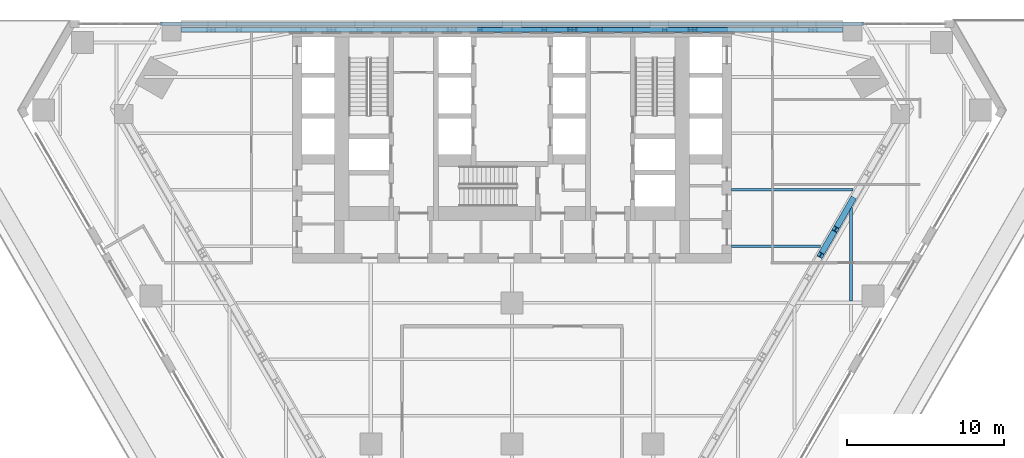
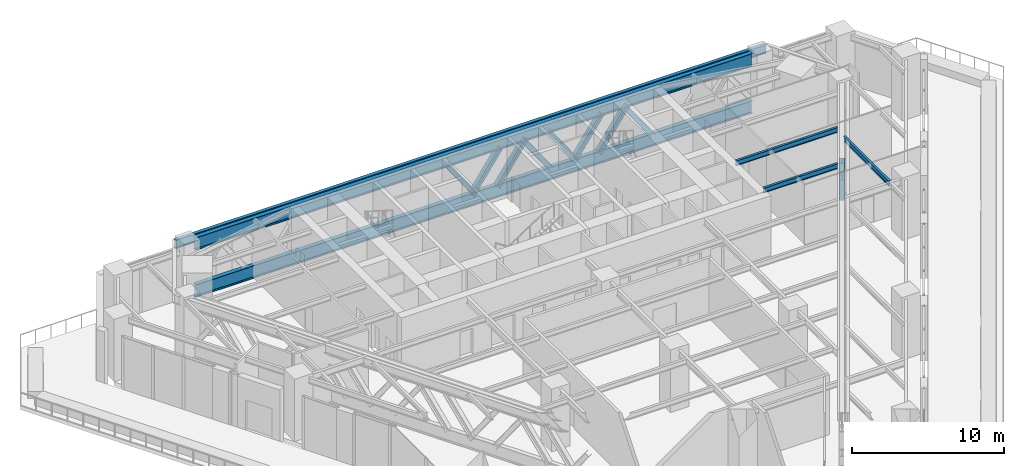
# One storey, part 9 of 25: 10 members, 6 beams.
"""IFC4 building model written with IfcOpenShell, lengths in metres."""

from ifc_helpers import new_model, si_unit, direction, frame, origin, origin_2d, place, context, subcontext, project, spatial, i_section, extrude, material, material_profile, profile_set, type_object, element, save


model = new_model("IFC4")

# Units and contexts
model_context = context("Model", 3, precision=1e-05, world=origin(), true_north=direction((0.0, 1.0)))
body_context = subcontext(model_context, "Body", "Model", "MODEL_VIEW")
ifc_project = project(units=[si_unit("LENGTHUNIT", "METRE"), si_unit("AREAUNIT", "SQUARE_METRE"), si_unit("VOLUMEUNIT", "CUBIC_METRE"), si_unit("PLANEANGLEUNIT", "RADIAN"), si_unit("MASSUNIT", "GRAM", prefix="KILO")], contexts=[model_context])

# Site, building, storey
site_placement = place(None, origin())
site = spatial("IfcSite", under=ifc_project, at=site_placement, CompositionType="ELEMENT")
building_placement = place(site_placement, origin())
building = spatial("IfcBuilding", under=site, at=building_placement, Name="Aloe Facet Convention Tower", CompositionType="ELEMENT")
storey_placement = place(building_placement, frame((0.0, 0.0, 30.0)))
storey = spatial("IfcBuildingStorey", under=building, at=storey_placement, Name="L05", CompositionType="ELEMENT", Elevation=30.0)

# Beams
ifc_material_1 = material(Name="Steel S355", Category="steel")
ifc_material_profile_1 = material_profile(ifc_material_1, i_section(OverallWidth=0.25439453125, OverallDepth=0.6875, WebThickness=0.01318359375, FlangeThickness=0.02099609375, FilletRadius=0.01513671875, at=origin_2d()), Name="UB 686x254x152")
ifc_profile_set_1 = profile_set([ifc_material_profile_1], Name="Steel S355")
beam_type_1 = type_object("IfcBeamType", Name="EV-EB-UB686x254x152", PredefinedType="BEAM", material=ifc_profile_set_1)
beam_1_placement = place(storey_placement, frame((102.39990234375, 134.77490234375, 4.456298828125), z_axis=(-1.0, 0.0, 0.0), x_axis=(0.0, -1.0, 0.0)))
element("IfcBeam", 1, at=beam_1_placement, inside=storey, type_object=beam_type_1, Name="EB-L06-N", PredefinedType="BEAM", context=body_context, shape_type="SweptSolid", body=[
    extrude(i_section(OverallWidth=0.25439453125, OverallDepth=0.6875, WebThickness=0.01318359375, FlangeThickness=0.02099609375, FilletRadius=0.01513671875, at=origin_2d()), origin(), (0.0, 0.0, 1.0), 44.7998046875),
])
ifc_material_2 = material(Name="Steel S355", Category="steel")
ifc_material_profile_2 = material_profile(ifc_material_2, i_section(OverallWidth=0.305419921875, OverallDepth=1.02587890625, WebThickness=0.02001953125, FlangeThickness=0.031005859375, FilletRadius=0.030029296875, at=origin_2d()), Name="UB 1016x305x349")
ifc_profile_set_2 = profile_set([ifc_material_profile_2], Name="Steel S355")
beam_type_2 = type_object("IfcBeamType", Name="SF-B-UB1016x305x349", PredefinedType="BEAM", material=ifc_profile_set_2)
for number, where, z_axis, x_axis, name in (
    (2, (101.10009765625, 134.39990234375, 4.287109375), (-1.0, 0.0, 0.0), (0.0, -1.0, 0.0), "Transfer ring chord TR-F1-T"),
    (3, (101.10009765625, 134.39990234375, 0.512939453125), (-1.0, 0.0, 0.0), (0.0, -1.0, 0.0), "Transfer ring chord TR-F1-B"),
):
    element("IfcBeam", number, at=place(storey_placement, frame(where, z_axis=z_axis, x_axis=x_axis)), inside=storey, type_object=beam_type_2, Name=name, PredefinedType="BEAM", context=body_context, shape_type="SweptSolid", body=[
        extrude(i_section(OverallWidth=0.305419921875, OverallDepth=1.02587890625, WebThickness=0.02001953125, FlangeThickness=0.031005859375, FilletRadius=0.030029296875, at=origin_2d()), origin(), (0.0, 0.0, 1.0), 42.2001953125),
    ])
ifc_material_3 = material(Name="Steel S355", Category="steel")
ifc_material_profile_3 = material_profile(ifc_material_3, i_section(OverallWidth=0.177734375, OverallDepth=0.402587890625, WebThickness=0.0078125, FlangeThickness=0.010986328125, FilletRadius=0.01025390625, at=origin_2d()), Name="UB 406x178x54")
ifc_profile_set_3 = profile_set([ifc_material_profile_3], Name="Steel S355")
beam_type_3 = type_object("IfcBeamType", Name="SF-B-UB406x178x54", PredefinedType="BEAM", material=ifc_profile_set_3)
beam_2_placement = place(storey_placement, frame((101.60009765625, 117.10546875, 4.5986328125), z_axis=(0.0, 1.0, 0.0), x_axis=(-1.0, 0.0, 0.0)))
element("IfcBeam", 4, at=beam_2_placement, inside=storey, type_object=beam_type_3, Name="Floor beam FB-L06-837", PredefinedType="BEAM", context=body_context, shape_type="SweptSolid", body=[
    extrude(i_section(OverallWidth=0.177734375, OverallDepth=0.402587890625, WebThickness=0.0078125, FlangeThickness=0.010986328125, FilletRadius=0.01025390625, at=origin_2d()), origin(), (0.0, 0.0, 1.0), 5.9619140625),
])
beam_3_placement = place(storey_placement, frame((94.0, 120.60009765625, 4.5986328125), z_axis=(1.0, 0.0, 0.0), x_axis=(0.0, 1.0, 0.0)))
element("IfcBeam", 5, at=beam_3_placement, inside=storey, type_object=beam_type_3, Name="Floor beam FB-Z1A-045", PredefinedType="BEAM", context=body_context, shape_type="SweptSolid", body=[
    extrude(i_section(OverallWidth=0.177734375, OverallDepth=0.402587890625, WebThickness=0.0078125, FlangeThickness=0.010986328125, FilletRadius=0.01025390625, at=origin_2d()), origin(), (0.0, 0.0, 1.0), 5.648681640625),
])
beam_4_placement = place(storey_placement, frame((94.0, 124.199951171875, 4.5986328125), z_axis=(1.0, 0.0, 0.0), x_axis=(0.0, 1.0, 0.0)))
element("IfcBeam", 6, at=beam_4_placement, inside=storey, type_object=beam_type_3, Name="Floor beam FB-Z1A-046", PredefinedType="BEAM", context=body_context, shape_type="SweptSolid", body=[
    extrude(i_section(OverallWidth=0.177734375, OverallDepth=0.402587890625, WebThickness=0.0078125, FlangeThickness=0.010986328125, FilletRadius=0.01025390625, at=origin_2d()), origin(), (0.0, 0.0, 1.0), 7.72705078125),
])

# Members
ifc_material_4 = material(Name="Steel S355", Category="steel")
ifc_material_profile_4 = material_profile(ifc_material_4, i_section(OverallWidth=0.374755859375, OverallDepth=0.37451171875, WebThickness=0.0166015625, FlangeThickness=0.027099609375, FilletRadius=0.01513671875, at=origin_2d()), Name="UC 356x368x202")
ifc_profile_set_4 = profile_set([ifc_material_profile_4], Name="Steel S355")
member_type = type_object("IfcMemberType", Name="SF-W-UC356x368x202", PredefinedType="BRACE", material=ifc_profile_set_4)
member_placement = place(storey_placement, frame((93.56689453125, 134.39990234375, 0.825927734375), z_axis=(-0.572373553203, 0.0, 0.819992997284), x_axis=(0.0, -1.0, 0.0)))
element("IfcMember", 7, at=member_placement, inside=storey, type_object=member_type, Name="Transfer ring diagonal TW-F1-05", PredefinedType="BRACE", context=body_context, shape_type="SweptSolid", body=[
    extrude(i_section(OverallWidth=0.374755859375, OverallDepth=0.37451171875, WebThickness=0.0166015625, FlangeThickness=0.027099609375, FilletRadius=0.01513671875, at=origin_2d()), origin(), (0.0, 0.0, 1.0), 3.83935546875),
])
for number, where, z_axis, x_axis, name in (
    (8, (91.648681640625, 134.39990234375, 3.97412109375), (-0.572330793685, 0.0, -0.82002284273), (0.0, -1.0, 0.0), "Transfer ring diagonal TW-F1-06"),
    (9, (89.73046875, 134.39990234375, 3.97412109375), (-0.572330793685, 0.0, -0.82002284273), (0.0, -1.0, 0.0), "Transfer ring diagonal TW-F1-07"),
    (10, (87.812255859375, 134.39990234375, 0.825927734375), (-0.572330793685, 0.0, 0.82002284273), (0.0, -1.0, 0.0), "Transfer ring diagonal TW-F1-08"),
):
    element("IfcMember", number, at=place(storey_placement, frame(where, z_axis=z_axis, x_axis=x_axis)), inside=storey, type_object=member_type, Name=name, PredefinedType="BRACE", context=body_context, shape_type="SweptSolid", body=[
        extrude(i_section(OverallWidth=0.374755859375, OverallDepth=0.37451171875, WebThickness=0.0166015625, FlangeThickness=0.027099609375, FilletRadius=0.01513671875, at=origin_2d()), origin(), (0.0, 0.0, 1.0), 3.839111328125),
    ])
for number, where, z_axis, x_axis, name in (
    (11, (85.894287109375, 134.39990234375, 0.825927734375), (-0.572373553203, 0.0, 0.819992997284), (0.0, -1.0, 0.0), "Transfer ring diagonal TW-F1-09"),
    (12, (83.97607421875, 134.39990234375, 3.97412109375), (-0.572373553203, 0.0, -0.819992997284), (0.0, -1.0, 0.0), "Transfer ring diagonal TW-F1-10"),
    (13, (82.057861328125, 134.39990234375, 3.97412109375), (-0.572373553203, 0.0, -0.819992997284), (0.0, -1.0, 0.0), "Transfer ring diagonal TW-F1-11"),
    (14, (80.1396484375, 134.39990234375, 0.825927734375), (-0.572373553203, 0.0, 0.819992997284), (0.0, -1.0, 0.0), "Transfer ring diagonal TW-F1-12"),
):
    element("IfcMember", number, at=place(storey_placement, frame(where, z_axis=z_axis, x_axis=x_axis)), inside=storey, type_object=member_type, Name=name, PredefinedType="BRACE", context=body_context, shape_type="SweptSolid", body=[
        extrude(i_section(OverallWidth=0.374755859375, OverallDepth=0.37451171875, WebThickness=0.0166015625, FlangeThickness=0.027099609375, FilletRadius=0.01513671875, at=origin_2d()), origin(), (0.0, 0.0, 1.0), 3.83935546875),
    ])
for number, where, z_axis, x_axis, name in (
    (15, (99.6689453125, 120.0380859375, 3.97412109375), (0.285354105547, 0.494227452165, -0.821165184341), (-0.866016486034, 0.500015445679, 0.0), "Transfer ring diagonal TW-F3-18"),
    (16, (100.623779296875, 121.692138671875, 3.97412109375), (0.285363086299, 0.49417932374, -0.821191028303), (-0.865988583845, 0.500063768584, 0.0), "Transfer ring diagonal TW-F3-19"),
):
    element("IfcMember", number, at=place(storey_placement, frame(where, z_axis=z_axis, x_axis=x_axis)), inside=storey, type_object=member_type, Name=name, PredefinedType="BRACE", context=body_context, shape_type="SweptSolid", body=[
        extrude(i_section(OverallWidth=0.374755859375, OverallDepth=0.37451171875, WebThickness=0.0166015625, FlangeThickness=0.027099609375, FilletRadius=0.01513671875, at=origin_2d()), origin(), (0.0, 0.0, 1.0), 3.833740234375),
    ])

save(model, "model.ifc")
